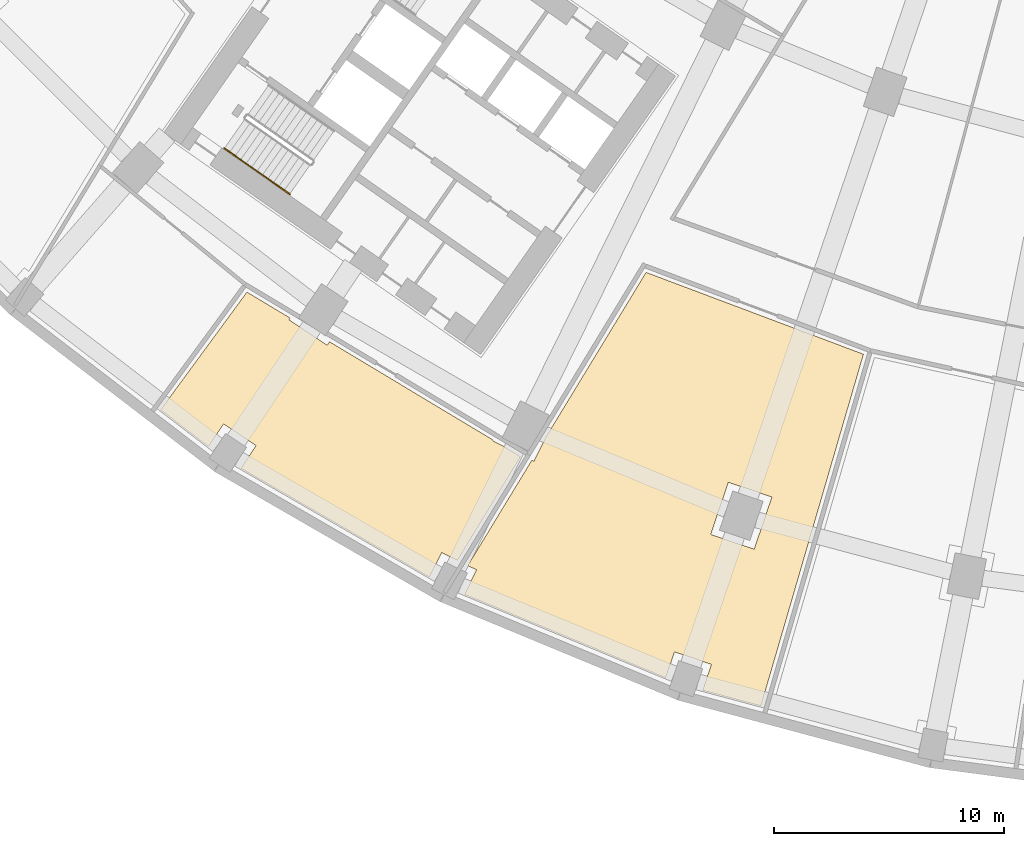
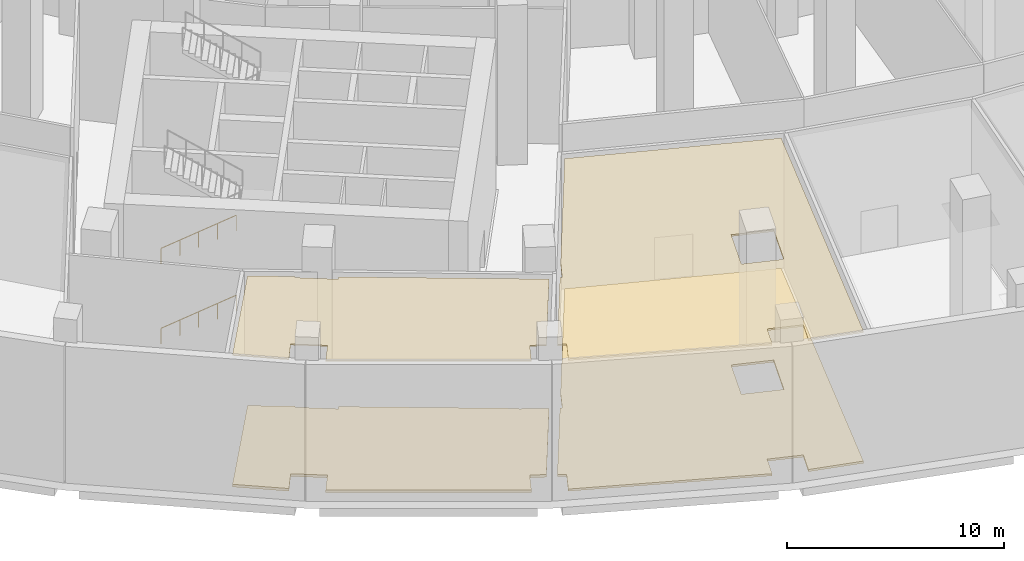
# One storey, part 13 of 17: 4 coverings, 2 railings.
"""IFC4 building model written with IfcOpenShell, lengths in metres."""

from ifc_helpers import new_model, si_unit, direction, frame, origin, origin_2d, place, context, subcontext, project, spatial, polyline, circle, outline, extrude, material, layer, layer_set, type_object, element, save


model = new_model("IFC4")

# Units and contexts
model_context = context("Model", 3, precision=1e-05, world=origin(), true_north=direction((0.0, 1.0)))
body_context = subcontext(model_context, "Body", "Model", "MODEL_VIEW")
ifc_project = project(units=[si_unit("LENGTHUNIT", "METRE"), si_unit("AREAUNIT", "SQUARE_METRE"), si_unit("VOLUMEUNIT", "CUBIC_METRE"), si_unit("PLANEANGLEUNIT", "RADIAN"), si_unit("MASSUNIT", "GRAM", prefix="KILO")], contexts=[model_context])

# Site, building, storey
site_placement = place(None, origin())
site = spatial("IfcSite", under=ifc_project, at=site_placement, CompositionType="ELEMENT")
building_placement = place(site_placement, origin())
building = spatial("IfcBuilding", under=site, at=building_placement, Name="Qamariyya Broadcast Tower", CompositionType="ELEMENT")
storey_placement = place(building_placement, frame((0.0, 0.0, 18.0)))
storey = spatial("IfcBuildingStorey", under=building, at=storey_placement, Name="L02", CompositionType="ELEMENT", Elevation=18.0)

# Coverings
ifc_material_1 = material(Name="Floating timber studio floor", Category="wood")
ifc_layer_1 = layer(ifc_material_1, 0.1201171875)
ifc_layer_set_1 = layer_set([ifc_layer_1], Name="Floating studio floor 120")
covering_type_1 = type_object("IfcCoveringType", Name="Floating studio floor 120", PredefinedType="FLOORING", material=ifc_layer_set_1)
covering_1_placement = place(storey_placement, origin())
element("IfcCovering", 1, at=covering_1_placement, inside=storey, type_object=covering_type_1, Name="Flooring L02-F01", PredefinedType="FLOORING", context=body_context, shape_type="SweptSolid", body=[
    extrude(outline(polyline([(-34.021728515625, -71.25048828125), (-33.504638671875, -70.20166015625), (-29.139404296875, -63.0234375), (-19.6708984375, -66.58740234375), (-24.13720703125, -81.9091796875), (-26.67578125, -81.22900390625), (-26.29248046875, -80.099365234375), (-27.90234375, -79.552978515625), (-28.28564453125, -80.682373046875), (-37.050048828125, -77.052001953125), (-36.522705078125, -75.982421875), (-36.9052734375, -75.793701171875), (-34.114501953125, -71.20458984375), (-34.021728515625, -71.25048828125)]), holes=[polyline([(-26.324462890625, -74.438720703125), (-24.4306640625, -75.08154296875), (-23.6591796875, -72.808837890625), (-25.55322265625, -72.166015625), (-26.324462890625, -74.438720703125)])]), origin(), (0.0, 0.0, 1.0), 0.1201171875),
])
ifc_material_2 = material(Name="Raised access floor")
ifc_layer_2 = layer(ifc_material_2, 0.14990234375)
ifc_layer_set_2 = layer_set([ifc_layer_2], Name="Raised access floor 150")
covering_type_2 = type_object("IfcCoveringType", Name="Raised access floor 150", PredefinedType="FLOORING", material=ifc_layer_set_2)
covering_2_placement = place(storey_placement, origin())
element("IfcCovering", 2, at=covering_2_placement, inside=storey, type_object=covering_type_2, Name="Flooring L02-F08", PredefinedType="FLOORING", context=body_context, shape_type="SweptSolid", body=[
    extrude(outline(polyline([(-44.69384765625, -65.0888671875), (-43.03076171875, -66.2001953125), (-42.927001953125, -66.044677734375), (-35.7978515625, -70.329833984375), (-35.815673828125, -70.36572265625), (-35.38427734375, -70.578369140625), (-34.604248046875, -71.04736328125), (-37.35546875, -75.571533203125), (-38.04736328125, -75.23046875), (-38.574951171875, -76.30029296875), (-46.79052734375, -71.556884765625), (-46.1279296875, -70.565185546875), (-47.541259765625, -69.62060546875), (-48.2041015625, -70.6123046875), (-50.2890625, -69.012451171875), (-46.526611328125, -63.880859375), (-44.64306640625, -65.01318359375), (-44.69384765625, -65.0888671875)])), origin(), (0.0, 0.0, 1.0), 0.14990234375),
])

# Railings
ifc_material_3 = material(Name="Stainless steel", Category="steel")
railing_type = type_object("IfcRailingType", Name="Stair handrail", PredefinedType="HANDRAIL", material=ifc_material_3)
for number, where, name in (
    (3, (-47.513427734375, -57.617431640625, 0.173095703125), "L02 ST-W1 stair handrail 1"),
    (4, (-47.513427734375, -57.617431640625, 4.673095703125), "L02 ST-W1 stair handrail 3"),
):
    element("IfcRailing", number, at=place(storey_placement, frame(where)), inside=storey, type_object=railing_type, Name=name, PredefinedType="HANDRAIL", context=body_context, shape_type="SweptSolid", body=[
        extrude(circle(Radius=0.02392578125, at=origin_2d()), frame((0.0, 0.0, 0.8759765625), z_axis=(0.703423072377, -0.49252265477, 0.512462111562), x_axis=(0.573561211868, 0.819162704376, 0.0)), (0.0, 0.0, 1.0), 4.052734375),
        extrude(circle(Radius=0.02099609375, at=origin_2d()), origin(), (0.0, 0.0, 1.0), 0.851806640625),
        extrude(circle(Radius=0.02099609375, at=origin_2d()), frame((0.712646484375, -0.4990234375, 0.519287109375)), (0.0, 0.0, 1.0), 0.851806640625),
        extrude(circle(Radius=0.02099609375, at=origin_2d()), frame((1.42529296875, -0.998046875, 1.03857421875)), (0.0, 0.0, 1.0), 0.851806640625),
        extrude(circle(Radius=0.02099609375, at=origin_2d()), frame((2.13818359375, -1.4970703125, 1.5576171875)), (0.0, 0.0, 1.0), 0.851806640625),
        extrude(circle(Radius=0.02099609375, at=origin_2d()), frame((2.850830078125, -1.99609375, 2.076904296875)), (0.0, 0.0, 1.0), 0.851806640625),
    ])

# Coverings
ifc_material_4 = material(Name="Acoustic mineral fibre ceiling")
ifc_layer_3 = layer(ifc_material_4, 0.10009765625)
ifc_layer_set_3 = layer_set([ifc_layer_3], Name="Studio acoustic ceiling 100")
covering_type_3 = type_object("IfcCoveringType", Name="Studio acoustic ceiling 100", PredefinedType="CEILING", material=ifc_layer_set_3)
covering_3_placement = place(storey_placement, frame((0.0, 0.0, 7.35009765625)))
element("IfcCovering", 5, at=covering_3_placement, inside=storey, type_object=covering_type_3, Name="Ceiling L02-C01", PredefinedType="CEILING", context=body_context, shape_type="SweptSolid", body=[
    extrude(outline(polyline([(-34.021728515625, -71.25048828125), (-33.504638671875, -70.20166015625), (-29.139404296875, -63.0234375), (-19.6708984375, -66.58740234375), (-24.13720703125, -81.9091796875), (-26.67578125, -81.22900390625), (-26.29248046875, -80.099365234375), (-27.90234375, -79.552978515625), (-28.28564453125, -80.682373046875), (-37.050048828125, -77.052001953125), (-36.522705078125, -75.982421875), (-36.9052734375, -75.793701171875), (-34.114501953125, -71.20458984375), (-34.021728515625, -71.25048828125)]), holes=[polyline([(-26.324462890625, -74.438720703125), (-24.4306640625, -75.08154296875), (-23.6591796875, -72.808837890625), (-25.55322265625, -72.166015625), (-26.324462890625, -74.438720703125)])]), origin(), (0.0, 0.0, 1.0), 0.099853515625),
])
ifc_material_5 = material(Name="Perforated plasterboard ceiling")
ifc_layer_4 = layer(ifc_material_5, 0.06005859375)
ifc_layer_set_4 = layer_set([ifc_layer_4], Name="Suspended acoustic ceiling 60")
covering_type_4 = type_object("IfcCoveringType", Name="Suspended acoustic ceiling 60", PredefinedType="CEILING", material=ifc_layer_set_4)
covering_4_placement = place(storey_placement, frame((0.0, 0.0, 7.389892578125)))
element("IfcCovering", 6, at=covering_4_placement, inside=storey, type_object=covering_type_4, Name="Ceiling L02-C08", PredefinedType="CEILING", context=body_context, shape_type="SweptSolid", body=[
    extrude(outline(polyline([(-44.69384765625, -65.0888671875), (-43.03076171875, -66.2001953125), (-42.927001953125, -66.044677734375), (-35.7978515625, -70.329833984375), (-35.815673828125, -70.36572265625), (-35.38427734375, -70.578369140625), (-34.604248046875, -71.04736328125), (-37.35546875, -75.571533203125), (-38.04736328125, -75.23046875), (-38.574951171875, -76.30029296875), (-46.79052734375, -71.556884765625), (-46.1279296875, -70.565185546875), (-47.541259765625, -69.62060546875), (-48.2041015625, -70.6123046875), (-50.2890625, -69.012451171875), (-46.526611328125, -63.880859375), (-44.64306640625, -65.01318359375), (-44.69384765625, -65.0888671875)])), origin(), (0.0, 0.0, 1.0), 0.06005859375),
])

save(model, "model.ifc")
